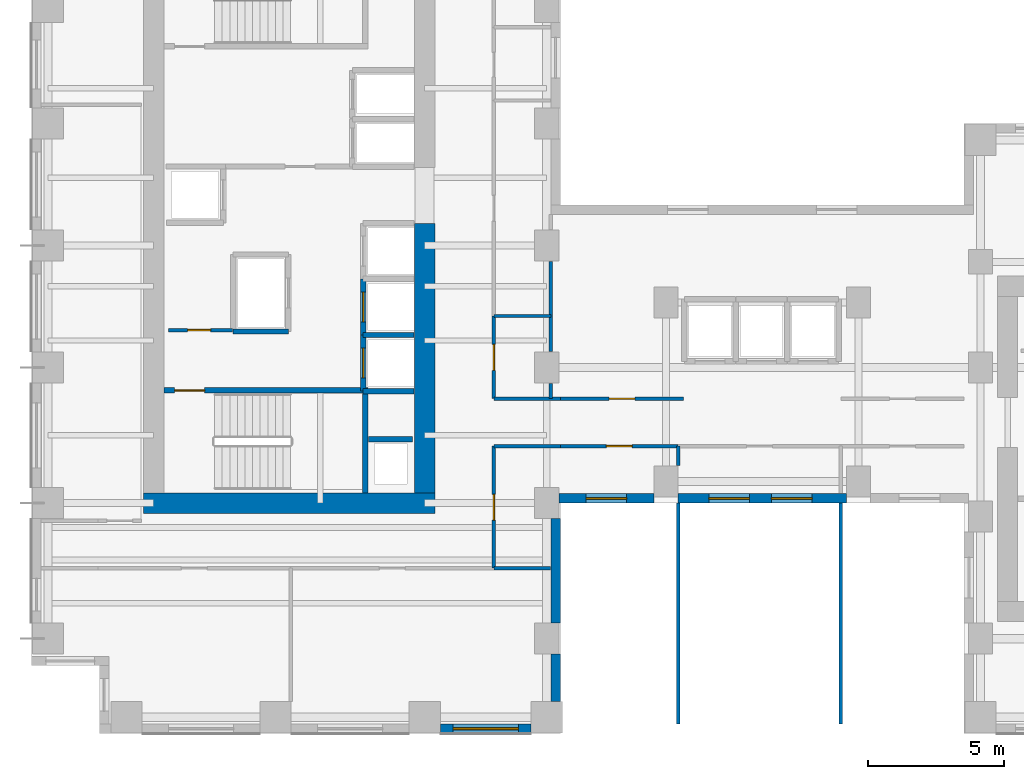
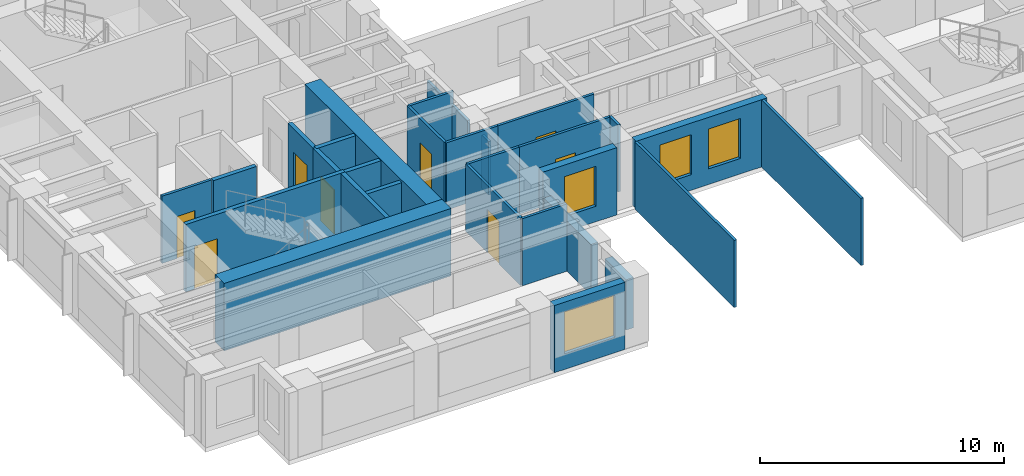
# One storey, part 4 of 11: 29 walls, 8 doors, 4 windows, 12 openings.
"""IFC4 building model written with IfcOpenShell, lengths in metres."""

from ifc_helpers import new_model, si_unit, direction, frame, frame_2d, origin, place, context, subcontext, project, spatial, rectangle, extrude, source, transform, mapped, material, layer, layer_set, type_object, element, fill, save


model = new_model("IFC4")

# Units and contexts
model_context = context("Model", 3, precision=1e-05, world=origin(), true_north=direction((0.0, 1.0)))
body_context = subcontext(model_context, "Body", "Model", "MODEL_VIEW")
ifc_project = project(units=[si_unit("LENGTHUNIT", "METRE"), si_unit("AREAUNIT", "SQUARE_METRE"), si_unit("VOLUMEUNIT", "CUBIC_METRE"), si_unit("PLANEANGLEUNIT", "RADIAN"), si_unit("MASSUNIT", "GRAM", prefix="KILO")], contexts=[model_context])

# Site, building, storey
site_placement = place(None, origin())
site = spatial("IfcSite", under=ifc_project, at=site_placement, CompositionType="ELEMENT")
building_placement = place(site_placement, origin())
building = spatial("IfcBuilding", under=site, at=building_placement, Name="Kharzan Plaza Tower", CompositionType="ELEMENT")
storey_placement = place(building_placement, frame((0.0, 0.0, 113.39990234375)))
storey = spatial("IfcBuildingStorey", under=building, at=storey_placement, Name="L30", CompositionType="ELEMENT", Elevation=113.39990234375)

# Wall, opening, window
ifc_material_1 = material(Name="Concrete C40/50", Category="concrete")
ifc_layer_1 = layer(ifc_material_1, 0.35009765625)
ifc_layer_set_1 = layer_set([ifc_layer_1], Name="Concrete C40/50")
wall_type_1 = type_object("IfcWallType", Name="WL-EXT-MAS-Z2", PredefinedType="SOLIDWALL", material=ifc_layer_set_1)
wall_1_placement = place(storey_placement, frame((15.072998046875, 0.175048828125, 0.0), z_axis=(0.0, 0.0, 1.0), x_axis=(1.0, 0.0, 0.0)))
wall_1 = element("IfcWall", 1, at=wall_1_placement, inside=storey, type_object=wall_type_1, Name="L30 Masonry-Frame Exterior Wall 31", PredefinedType="SOLIDWALL", context=body_context, shape_type="SweptSolid", body=[
    extrude(rectangle(XDim=3.35400390625, YDim=0.35009765625, at=frame_2d((1.677001953125, 0.0))), origin(), (0.0, 0.0, 1.0), 3.364990234375),
])
opening_1_placement = place(wall_1_placement, frame((0.47705078125, 0.0, 0.780029296875)))
opening_1 = element("IfcOpeningElement", 2, at=opening_1_placement, cuts=wall_1, Name="Opening W2", PredefinedType="OPENING", context=body_context, shape_type="SweptSolid", body=[
    extrude(rectangle(XDim=2.39990234375, YDim=2.10009765625, at=frame_2d((1.199951171875, 1.050048828125))), frame((0.0, 0.18505859375, 0.0), z_axis=(0.0, -1.0, 0.0), x_axis=(1.0, 0.0, 0.0)), (0.0, 0.0, 1.0), 0.3701171875),
])
ifc_material_2 = material(Name="Low-E Double Glazing", Category="glass")
window_type_1 = type_object("IfcWindowType", Name="WN-REC-2400x2100", PartitioningType="SINGLE_PANEL", PredefinedType="WINDOW", material=ifc_material_2)
shared_shape_1 = source(origin(), body_context, "Body", "SweptSolid", [
    extrude(rectangle(XDim=2.39990234375, YDim=2.10009765625, at=frame_2d((1.199951171875, 1.050048828125))), frame((0.0, 0.030029296875, 0.0), z_axis=(0.0, -1.0, 0.0), x_axis=(1.0, 0.0, 0.0)), (0.0, 0.0, 1.0), 0.06005859375),
])
window_1_placement = place(opening_1_placement, origin())
window_1 = element("IfcWindow", 3, at=window_1_placement, inside=storey, type_object=window_type_1, Name="L30 Wide Recessed Solar-Control Window 31-1", OverallHeight=2.10009765625, OverallWidth=2.39990234375, PartitioningType="SINGLE_PANEL", PredefinedType="WINDOW", context=body_context, shape_type="MappedRepresentation", body=[
    mapped(shared_shape_1, transform((0.0, 0.0, 0.0), x_axis=(1.0, 0.0, 0.0), y_axis=(0.0, 1.0, 0.0), z_axis=(0.0, 0.0, 1.0))),
])
fill(opening_1, window_1)

wall_2_placement = place(storey_placement, frame((19.447998046875, 8.675048828125, 0.0), z_axis=(0.0, 0.0, 1.0), x_axis=(1.0, 0.0, 0.0)))
wall_2 = element("IfcWall", 4, at=wall_2_placement, inside=storey, type_object=wall_type_1, Name="L30 Masonry-Frame Exterior Wall 34", PredefinedType="SOLIDWALL", context=body_context, shape_type="SweptSolid", body=[
    extrude(rectangle(XDim=3.50390625, YDim=0.35009765625, at=frame_2d((1.751953125, 0.0))), origin(), (0.0, 0.0, 1.0), 3.364990234375),
])
opening_2_placement = place(wall_2_placement, frame((1.001953125, 0.0, 0.780029296875)))
opening_2 = element("IfcOpeningElement", 5, at=opening_2_placement, cuts=wall_2, Name="Opening W5", PredefinedType="OPENING", context=body_context, shape_type="SweptSolid", body=[
    extrude(rectangle(XDim=1.5, YDim=2.0, at=frame_2d((0.75, 1.0))), frame((0.0, 0.18505859375, 0.0), z_axis=(0.0, -1.0, 0.0), x_axis=(1.0, 0.0, 0.0)), (0.0, 0.0, 1.0), 0.3701171875),
])
window_type_2 = type_object("IfcWindowType", Name="WN-SLT-1500x2000", PartitioningType="SINGLE_PANEL", PredefinedType="WINDOW", material=ifc_material_2)
shared_shape_2 = source(origin(), body_context, "Body", "SweptSolid", [
    extrude(rectangle(XDim=1.5, YDim=2.0, at=frame_2d((0.75, 1.0))), frame((0.0, 0.030029296875, 0.0), z_axis=(0.0, -1.0, 0.0), x_axis=(1.0, 0.0, 0.0)), (0.0, 0.0, 1.0), 0.06005859375),
])
window_2_placement = place(opening_2_placement, origin())
window_2 = element("IfcWindow", 6, at=window_2_placement, inside=storey, type_object=window_type_2, Name="L30 Recessed Solar-Control Window 34-1", OverallHeight=2.0, OverallWidth=1.5, PartitioningType="SINGLE_PANEL", PredefinedType="WINDOW", context=body_context, shape_type="MappedRepresentation", body=[
    mapped(shared_shape_2, transform((0.0, 0.0, 0.0), x_axis=(1.0, 0.0, 0.0), y_axis=(0.0, 1.0, 0.0), z_axis=(0.0, 0.0, 1.0))),
])
fill(opening_2, window_2)

# Wall, openings, windows
wall_3_placement = place(storey_placement, frame((23.847900390625, 8.675048828125, 0.0), z_axis=(0.0, 0.0, 1.0), x_axis=(1.0, 0.0, 0.0)))
wall_3 = element("IfcWall", 7, at=wall_3_placement, inside=storey, type_object=wall_type_1, Name="L30 Masonry-Frame Exterior Wall 35", PredefinedType="SOLIDWALL", context=body_context, shape_type="SweptSolid", body=[
    extrude(rectangle(XDim=6.2041015625, YDim=0.35009765625, at=frame_2d((3.10205078125, 0.0))), origin(), (0.0, 0.0, 1.0), 3.364990234375),
])
opening_3_placement = place(wall_3_placement, frame((1.130615234375, 0.0, 0.780029296875)))
opening_3 = element("IfcOpeningElement", 8, at=opening_3_placement, cuts=wall_3, Name="Opening W5", PredefinedType="OPENING", context=body_context, shape_type="SweptSolid", body=[
    extrude(rectangle(XDim=1.5, YDim=2.0, at=frame_2d((0.75, 1.0))), frame((0.0, 0.18505859375, 0.0), z_axis=(0.0, -1.0, 0.0), x_axis=(1.0, 0.0, 0.0)), (0.0, 0.0, 1.0), 0.3701171875),
])
opening_4_placement = place(wall_3_placement, frame((3.44140625, 0.0, 0.780029296875)))
opening_4 = element("IfcOpeningElement", 9, at=opening_4_placement, cuts=wall_3, Name="Opening W5", PredefinedType="OPENING", context=body_context, shape_type="SweptSolid", body=[
    extrude(rectangle(XDim=1.5, YDim=2.0, at=frame_2d((0.75, 1.0))), frame((0.0, 0.18505859375, 0.0), z_axis=(0.0, -1.0, 0.0), x_axis=(1.0, 0.0, 0.0)), (0.0, 0.0, 1.0), 0.3701171875),
])
window_3_placement = place(opening_3_placement, origin())
window_3 = element("IfcWindow", 10, at=window_3_placement, inside=storey, type_object=window_type_2, Name="L30 Recessed Solar-Control Window 35-1", OverallHeight=2.0, OverallWidth=1.5, PartitioningType="SINGLE_PANEL", PredefinedType="WINDOW", context=body_context, shape_type="MappedRepresentation", body=[
    mapped(shared_shape_2, transform((0.0, 0.0, 0.0), x_axis=(1.0, 0.0, 0.0), y_axis=(0.0, 1.0, 0.0), z_axis=(0.0, 0.0, 1.0))),
])
fill(opening_3, window_3)
window_4_placement = place(opening_4_placement, origin())
window_4 = element("IfcWindow", 11, at=window_4_placement, inside=storey, type_object=window_type_2, Name="L30 Recessed Solar-Control Window 35-2", OverallHeight=2.0, OverallWidth=1.5, PartitioningType="SINGLE_PANEL", PredefinedType="WINDOW", context=body_context, shape_type="MappedRepresentation", body=[
    mapped(shared_shape_2, transform((0.0, 0.0, 0.0), x_axis=(1.0, 0.0, 0.0), y_axis=(0.0, 1.0, 0.0), z_axis=(0.0, 0.0, 1.0))),
])
fill(opening_4, window_4)

# Wall, opening, door
ifc_material_3 = material(Name="Fire-Rated Gypsum Board Partition", Category="gypsum")
ifc_layer_2 = layer(ifc_material_3, 0.125)
ifc_layer_set_2 = layer_set([ifc_layer_2], Name="Fire-Rated Gypsum Board Partition")
wall_type_2 = type_object("IfcWallType", Name="WL-INT-PART-125", PredefinedType="PARTITIONING", material=ifc_layer_set_2)
wall_4_placement = place(storey_placement, frame((5.050048828125, 14.8798828125, 0.0), z_axis=(0.0, 0.0, 1.0), x_axis=(1.0, 0.0, 0.0)))
wall_4 = element("IfcWall", 12, at=wall_4_placement, inside=storey, type_object=wall_type_2, Name="L30 Interior Partition CA-K0", PredefinedType="PARTITIONING", context=body_context, shape_type="SweptSolid", body=[
    extrude(rectangle(XDim=2.349853515625, YDim=0.125, at=frame_2d((1.1748046875, 0.0))), origin(), (0.0, 0.0, 1.0), 3.364990234375),
])
opening_5_placement = place(wall_4_placement, frame((0.699951171875, 0.0, 0.0)))
opening_5 = element("IfcOpeningElement", 13, at=opening_5_placement, cuts=wall_4, Name="Opening RD1", PredefinedType="OPENING", context=body_context, shape_type="SweptSolid", body=[
    extrude(rectangle(XDim=0.85009765625, YDim=2.10009765625, at=frame_2d((0.425048828125, 1.050048828125))), frame((0.0, 0.072509765625, 0.0), z_axis=(0.0, -1.0, 0.0), x_axis=(1.0, 0.0, 0.0)), (0.0, 0.0, 1.0), 0.14501953125),
])
ifc_material_4 = material(Name="Powder-Coated Fire-Rated Steel", Category="steel")
door_type_1 = type_object("IfcDoorType", Name="DR-RISER-900", OperationType="NOTDEFINED", PredefinedType="DOOR", material=ifc_material_4)
shared_shape_3 = source(origin(), body_context, "Body", "SweptSolid", [
    extrude(rectangle(XDim=0.85009765625, YDim=2.10009765625, at=frame_2d((0.425048828125, 1.050048828125))), frame((0.0, 0.02490234375, 0.0), z_axis=(0.0, -1.0, 0.0), x_axis=(1.0, 0.0, 0.0)), (0.0, 0.0, 1.0), 0.050048828125),
])
door_1_placement = place(opening_5_placement, origin())
door_1 = element("IfcDoor", 14, at=door_1_placement, inside=storey, type_object=door_type_1, Name="L30 Cleaners Store Door", OperationType="SINGLE_SWING_RIGHT", OverallHeight=2.10009765625, OverallWidth=0.85009765625, PredefinedType="DOOR", context=body_context, shape_type="MappedRepresentation", body=[
    mapped(shared_shape_3, transform((0.0, 0.0, 0.0), x_axis=(1.0, 0.0, 0.0), y_axis=(0.0, 1.0, 0.0), z_axis=(0.0, 0.0, 1.0))),
])
fill(opening_5, door_1)

wall_5_placement = place(storey_placement, frame((17.050048828125, 12.35009765625, 0.0), z_axis=(0.0, 0.0, 1.0), x_axis=(0.0, 1.0, 0.0)))
wall_5 = element("IfcWall", 15, at=wall_5_placement, inside=storey, type_object=wall_type_2, Name="L30 Interior Partition SH-AEWN1", PredefinedType="PARTITIONING", context=body_context, shape_type="SweptSolid", body=[
    extrude(rectangle(XDim=3.0498046875, YDim=0.125, at=frame_2d((1.52490234375, 0.0))), origin(), (0.0, 0.0, 1.0), 3.364990234375),
])
opening_6_placement = place(wall_5_placement, frame((1.050048828125, 0.0, 0.0)))
opening_6 = element("IfcOpeningElement", 16, at=opening_6_placement, cuts=wall_5, Name="Opening OD1", PredefinedType="OPENING", context=body_context, shape_type="SweptSolid", body=[
    extrude(rectangle(XDim=0.949951171875, YDim=2.14990234375, at=frame_2d((0.47509765625, 1.074951171875))), frame((0.0, 0.072509765625, 0.0), z_axis=(0.0, -1.0, 0.0), x_axis=(1.0, 0.0, 0.0)), (0.0, 0.0, 1.0), 0.14501953125),
])
ifc_material_5 = material(Name="Acoustic Solid-Core Stained Oak", Category="timber")
door_type_2 = type_object("IfcDoorType", Name="DR-OFF-SINGLE", OperationType="NOTDEFINED", PredefinedType="DOOR", material=ifc_material_5)
shared_shape_4 = source(origin(), body_context, "Body", "SweptSolid", [
    extrude(rectangle(XDim=0.949951171875, YDim=2.14990234375, at=frame_2d((0.47509765625, 1.074951171875))), frame((0.0, 0.02490234375, 0.0), z_axis=(0.0, -1.0, 0.0), x_axis=(1.0, 0.0, 0.0)), (0.0, 0.0, 1.0), 0.050048828125),
])
door_2_placement = place(opening_6_placement, origin())
door_2 = element("IfcDoor", 17, at=door_2_placement, inside=storey, type_object=door_type_2, Name="L30 Slot Collaboration Door", OperationType="SINGLE_SWING_LEFT", OverallHeight=2.14990234375, OverallWidth=0.949951171875, PredefinedType="DOOR", context=body_context, shape_type="MappedRepresentation", body=[
    mapped(shared_shape_4, transform((0.0, 0.0, 0.0), x_axis=(1.0, 0.0, 0.0), y_axis=(0.0, 1.0, 0.0), z_axis=(0.0, 0.0, 1.0))),
])
fill(opening_6, door_2)

wall_6_placement = place(storey_placement, frame((17.050048828125, 6.10009765625, 0.0), z_axis=(0.0, 0.0, 1.0), x_axis=(0.0, 1.0, 0.0)))
wall_6 = element("IfcWall", 18, at=wall_6_placement, inside=storey, type_object=wall_type_2, Name="L30 Interior Partition SH-AEWS", PredefinedType="PARTITIONING", context=body_context, shape_type="SweptSolid", body=[
    extrude(rectangle(XDim=4.5, YDim=0.125, at=frame_2d((2.25, 0.0))), origin(), (0.0, 0.0, 1.0), 3.364990234375),
])
opening_7_placement = place(wall_6_placement, frame((1.77490234375, 0.0, 0.0)))
opening_7 = element("IfcOpeningElement", 19, at=opening_7_placement, cuts=wall_6, Name="Opening OD1", PredefinedType="OPENING", context=body_context, shape_type="SweptSolid", body=[
    extrude(rectangle(XDim=0.949951171875, YDim=2.14990234375, at=frame_2d((0.47509765625, 1.074951171875))), frame((0.0, 0.072509765625, 0.0), z_axis=(0.0, -1.0, 0.0), x_axis=(1.0, 0.0, 0.0)), (0.0, 0.0, 1.0), 0.14501953125),
])
door_3_placement = place(opening_7_placement, origin())
door_3 = element("IfcDoor", 20, at=door_3_placement, inside=storey, type_object=door_type_2, Name="L30 Slot South Office Door", OperationType="SINGLE_SWING_RIGHT", OverallHeight=2.14990234375, OverallWidth=0.949951171875, PredefinedType="DOOR", context=body_context, shape_type="MappedRepresentation", body=[
    mapped(shared_shape_4, transform((0.0, 0.0, 0.0), x_axis=(1.0, 0.0, 0.0), y_axis=(0.0, 1.0, 0.0), z_axis=(0.0, 0.0, 1.0))),
])
fill(opening_7, door_3)

wall_7_placement = place(storey_placement, frame((19.5, 12.35009765625, 0.0), z_axis=(0.0, 0.0, 1.0), x_axis=(1.0, 0.0, 0.0)))
wall_7 = element("IfcWall", 21, at=wall_7_placement, inside=storey, type_object=wall_type_2, Name="L30 Interior Partition SH-SPNW1", PredefinedType="PARTITIONING", context=body_context, shape_type="SweptSolid", body=[
    extrude(rectangle(XDim=4.550048828125, YDim=0.125, at=frame_2d((2.27490234375, 0.0))), origin(), (0.0, 0.0, 1.0), 3.364990234375),
])
opening_8_placement = place(wall_7_placement, frame((1.800048828125, 0.0, 0.0)))
opening_8 = element("IfcOpeningElement", 22, at=opening_8_placement, cuts=wall_7, Name="Opening OD1", PredefinedType="OPENING", context=body_context, shape_type="SweptSolid", body=[
    extrude(rectangle(XDim=0.949951171875, YDim=2.14990234375, at=frame_2d((0.47509765625, 1.074951171875))), frame((0.0, 0.072509765625, 0.0), z_axis=(0.0, -1.0, 0.0), x_axis=(1.0, 0.0, 0.0)), (0.0, 0.0, 1.0), 0.14501953125),
])
door_4_placement = place(opening_8_placement, origin())
door_4 = element("IfcDoor", 23, at=door_4_placement, inside=storey, type_object=door_type_2, Name="L30 North-West Spine Door", OperationType="SINGLE_SWING_RIGHT", OverallHeight=2.14990234375, OverallWidth=0.949951171875, PredefinedType="DOOR", context=body_context, shape_type="MappedRepresentation", body=[
    mapped(shared_shape_4, transform((0.0, 0.0, 0.0), x_axis=(1.0, 0.0, 0.0), y_axis=(0.0, 1.0, 0.0), z_axis=(0.0, 0.0, 1.0))),
])
fill(opening_8, door_4)

wall_8_placement = place(storey_placement, frame((19.5, 10.60009765625, 0.0), z_axis=(0.0, 0.0, 1.0), x_axis=(1.0, 0.0, 0.0)))
wall_8 = element("IfcWall", 24, at=wall_8_placement, inside=storey, type_object=wall_type_2, Name="L30 Interior Partition SH-SPS1", PredefinedType="PARTITIONING", context=body_context, shape_type="SweptSolid", body=[
    extrude(rectangle(XDim=4.35009765625, YDim=0.125, at=frame_2d((2.175048828125, 0.0))), origin(), (0.0, 0.0, 1.0), 3.364990234375),
])
opening_9_placement = place(wall_8_placement, frame((1.699951171875, 0.0, 0.0)))
opening_9 = element("IfcOpeningElement", 25, at=opening_9_placement, cuts=wall_8, Name="Opening OD1", PredefinedType="OPENING", context=body_context, shape_type="SweptSolid", body=[
    extrude(rectangle(XDim=0.949951171875, YDim=2.14990234375, at=frame_2d((0.47509765625, 1.074951171875))), frame((0.0, 0.072509765625, 0.0), z_axis=(0.0, -1.0, 0.0), x_axis=(1.0, 0.0, 0.0)), (0.0, 0.0, 1.0), 0.14501953125),
])
door_5_placement = place(opening_9_placement, origin())
door_5 = element("IfcDoor", 26, at=door_5_placement, inside=storey, type_object=door_type_2, Name="L30 Spine Studio 1 Door", OperationType="SINGLE_SWING_LEFT", OverallHeight=2.14990234375, OverallWidth=0.949951171875, PredefinedType="DOOR", context=body_context, shape_type="MappedRepresentation", body=[
    mapped(shared_shape_4, transform((0.0, 0.0, 0.0), x_axis=(1.0, 0.0, 0.0), y_axis=(0.0, 1.0, 0.0), z_axis=(0.0, 0.0, 1.0))),
])
fill(opening_9, door_5)

ifc_layer_3 = layer(ifc_material_1, 0.199951171875)
ifc_layer_set_3 = layer_set([ifc_layer_3], Name="Concrete C40/50")
wall_type_3 = type_object("IfcWallType", Name="WL-INT-SHAFT-200", PredefinedType="PARTITIONING", material=ifc_layer_set_3)
wall_9_placement = place(storey_placement, frame((12.22998046875, 12.6298828125, 0.0), z_axis=(0.0, 0.0, 1.0), x_axis=(0.0, 1.0, 0.0)))
wall_9 = element("IfcWall", 27, at=wall_9_placement, inside=storey, type_object=wall_type_3, Name="L30 Interior Partition SHF-PL-H1-W", PredefinedType="PARTITIONING", context=body_context, shape_type="SweptSolid", body=[
    extrude(rectangle(XDim=2.070068359375, YDim=0.199951171875, at=frame_2d((1.03515625, 0.0))), origin(), (0.0, 0.0, 1.0), 3.364990234375),
])
opening_10_placement = place(wall_9_placement, frame((0.485107421875, 0.0, 0.0)))
opening_10 = element("IfcOpeningElement", 28, at=opening_10_placement, cuts=wall_9, Name="Opening LD", PredefinedType="OPENING", context=body_context, shape_type="SweptSolid", body=[
    extrude(rectangle(XDim=1.10009765625, YDim=2.199951171875, at=frame_2d((0.550048828125, 1.10009765625))), frame((0.0, 0.10986328125, 0.0), z_axis=(0.0, -1.0, 0.0), x_axis=(1.0, 0.0, 0.0)), (0.0, 0.0, 1.0), 0.219970703125),
])
ifc_material_6 = material(Name="Brushed Stainless Steel", Category="steel")
door_type_3 = type_object("IfcDoorType", Name="DR-LIFT-SLIDE", OperationType="SLIDING_TO_LEFT", PredefinedType="DOOR", material=ifc_material_6)
shared_shape_5 = source(origin(), body_context, "Body", "SweptSolid", [
    extrude(rectangle(XDim=1.10009765625, YDim=2.199951171875, at=frame_2d((0.550048828125, 1.10009765625))), frame((0.0, 0.02490234375, 0.0), z_axis=(0.0, -1.0, 0.0), x_axis=(1.0, 0.0, 0.0)), (0.0, 0.0, 1.0), 0.050048828125),
])
door_6_placement = place(opening_10_placement, origin())
door_6 = element("IfcDoor", 29, at=door_6_placement, inside=storey, type_object=door_type_3, Name="L30 High-Rise Passenger Lift PL-H1 Sliding Landing Door", OperationType="SLIDING_TO_LEFT", OverallHeight=2.199951171875, OverallWidth=1.10009765625, PredefinedType="DOOR", context=body_context, shape_type="MappedRepresentation", body=[
    mapped(shared_shape_5, transform((0.0, 0.0, 0.0), x_axis=(1.0, 0.0, 0.0), y_axis=(0.0, 1.0, 0.0), z_axis=(0.0, 0.0, 1.0))),
])
fill(opening_10, door_6)

wall_10_placement = place(storey_placement, frame((12.22998046875, 14.699951171875, 0.0), z_axis=(0.0, 0.0, 1.0), x_axis=(0.0, 1.0, 0.0)))
wall_10 = element("IfcWall", 30, at=wall_10_placement, inside=storey, type_object=wall_type_3, Name="L30 Interior Partition SHF-PL-H2-W", PredefinedType="PARTITIONING", context=body_context, shape_type="SweptSolid", body=[
    extrude(rectangle(XDim=2.070068359375, YDim=0.199951171875, at=frame_2d((1.03515625, 0.0))), origin(), (0.0, 0.0, 1.0), 3.364990234375),
])
opening_11_placement = place(wall_10_placement, frame((0.485107421875, 0.0, 0.0)))
opening_11 = element("IfcOpeningElement", 31, at=opening_11_placement, cuts=wall_10, Name="Opening LD", PredefinedType="OPENING", context=body_context, shape_type="SweptSolid", body=[
    extrude(rectangle(XDim=1.10009765625, YDim=2.199951171875, at=frame_2d((0.550048828125, 1.10009765625))), frame((0.0, 0.10986328125, 0.0), z_axis=(0.0, -1.0, 0.0), x_axis=(1.0, 0.0, 0.0)), (0.0, 0.0, 1.0), 0.219970703125),
])
door_7_placement = place(opening_11_placement, origin())
door_7 = element("IfcDoor", 32, at=door_7_placement, inside=storey, type_object=door_type_3, Name="L30 High-Rise Passenger Lift PL-H2 Sliding Landing Door", OperationType="SLIDING_TO_LEFT", OverallHeight=2.199951171875, OverallWidth=1.10009765625, PredefinedType="DOOR", context=body_context, shape_type="MappedRepresentation", body=[
    mapped(shared_shape_5, transform((0.0, 0.0, 0.0), x_axis=(1.0, 0.0, 0.0), y_axis=(0.0, 1.0, 0.0), z_axis=(0.0, 0.0, 1.0))),
])
fill(opening_11, door_7)

ifc_material_7 = material(Name="Concrete C50/60", Category="concrete")
ifc_layer_4 = layer(ifc_material_7, 0.199951171875)
ifc_layer_set_4 = layer_set([ifc_layer_4], Name="Concrete C50/60")
wall_type_4 = type_object("IfcWallType", Name="WL-SHAFT-RC200", PredefinedType="SHEAR", material=ifc_layer_set_4)
wall_11_placement = place(storey_placement, frame((4.876953125, 12.655029296875, 0.0), z_axis=(0.0, 0.0, 1.0), x_axis=(1.0, 0.0, 0.0)))
wall_11 = element("IfcWall", 33, at=wall_11_placement, inside=storey, type_object=wall_type_4, Name="L30 Stair ST-1 North RC Shaft Wall", PredefinedType="SHEAR", context=body_context, shape_type="SweptSolid", body=[
    extrude(rectangle(XDim=7.528076171875, YDim=0.199951171875, at=frame_2d((3.76416015625, 0.0))), origin(), (0.0, 0.0, 1.0), 3.380126953125),
])
opening_12_placement = place(wall_11_placement, frame((0.39990234375, 0.0, 0.0)))
opening_12 = element("IfcOpeningElement", 34, at=opening_12_placement, cuts=wall_11, Name="Opening SD1", PredefinedType="OPENING", context=body_context, shape_type="SweptSolid", body=[
    extrude(rectangle(XDim=1.10009765625, YDim=2.14990234375, at=frame_2d((0.550048828125, 1.074951171875))), frame((0.0, 0.10986328125, 0.0), z_axis=(0.0, -1.0, 0.0), x_axis=(1.0, 0.0, 0.0)), (0.0, 0.0, 1.0), 0.219970703125),
])
ifc_material_8 = material(Name="Fire-Rated Hollow Galvanized Steel", Category="steel")
door_type_4 = type_object("IfcDoorType", Name="DR-STAIR-FD120", OperationType="NOTDEFINED", PredefinedType="DOOR", material=ifc_material_8)
shared_shape_6 = source(origin(), body_context, "Body", "SweptSolid", [
    extrude(rectangle(XDim=1.10009765625, YDim=2.14990234375, at=frame_2d((0.550048828125, 1.074951171875))), frame((0.0, 0.02490234375, 0.0), z_axis=(0.0, -1.0, 0.0), x_axis=(1.0, 0.0, 0.0)), (0.0, 0.0, 1.0), 0.050048828125),
])
door_8_placement = place(opening_12_placement, origin())
door_8 = element("IfcDoor", 35, at=door_8_placement, inside=storey, type_object=door_type_4, Name="L30 Stair ST-1 Fire Exit Door", OperationType="SINGLE_SWING_LEFT", OverallHeight=2.14990234375, OverallWidth=1.10009765625, PredefinedType="DOOR", context=body_context, shape_type="MappedRepresentation", body=[
    mapped(shared_shape_6, transform((0.0, 0.0, 0.0), x_axis=(1.0, 0.0, 0.0), y_axis=(0.0, 1.0, 0.0), z_axis=(0.0, 0.0, 1.0))),
])
fill(opening_12, door_8)

# Walls
shared_shape_7 = source(origin(), body_context, "Body", "SweptSolid", [
    extrude(rectangle(XDim=2.0400390625, YDim=0.199951171875, at=frame_2d((1.02001953125, 0.0))), origin(), (0.0, 0.0, 1.0), 3.364990234375),
])
wall_12_placement = place(storey_placement, frame((7.429931640625, 14.830078125, 0.0), z_axis=(0.0, 0.0, 1.0), x_axis=(1.0, 0.0, 0.0)))
element("IfcWall", 36, at=wall_12_placement, inside=storey, type_object=wall_type_3, Name="L30 Interior Partition SHF-SVL-1-S", PredefinedType="PARTITIONING", context=body_context, shape_type="MappedRepresentation", body=[
    mapped(shared_shape_7, transform((0.0, 0.0, 0.0), x_axis=(1.0, 0.0, 0.0), y_axis=(0.0, 1.0, 0.0), z_axis=(0.0, 0.0, 1.0))),
])
shared_shape_8 = source(origin(), body_context, "Body", "SweptSolid", [
    extrude(rectangle(XDim=2.097900390625, YDim=0.125, at=frame_2d((1.048828125, 0.0))), origin(), (0.0, 0.0, 1.0), 3.364990234375),
])
wall_13_placement = place(storey_placement, frame((17.050048828125, 6.10009765625, 0.0), z_axis=(0.0, 0.0, 1.0), x_axis=(1.0, 0.0, 0.0)))
element("IfcWall", 37, at=wall_13_placement, inside=storey, type_object=wall_type_2, Name="L30 Interior Partition SH-SSE-2", PredefinedType="PARTITIONING", context=body_context, shape_type="MappedRepresentation", body=[
    mapped(shared_shape_8, transform((0.0, 0.0, 0.0), x_axis=(1.0, 0.0, 0.0), y_axis=(0.0, 1.0, 0.0), z_axis=(0.0, 0.0, 1.0))),
])
shared_shape_9 = source(origin(), body_context, "Body", "SweptSolid", [
    extrude(rectangle(XDim=2.449951171875, YDim=0.125, at=frame_2d((1.22509765625, 0.0))), origin(), (0.0, 0.0, 1.0), 3.364990234375),
])
for number, where, z_axis, x_axis, name in (
    (38, (17.050048828125, 12.35009765625, 0.0), (0.0, 0.0, 1.0), (1.0, 0.0, 0.0), "L30 Interior Partition SH-SPNW0"),
    (39, (17.050048828125, 10.60009765625, 0.0), (0.0, 0.0, 1.0), (1.0, 0.0, 0.0), "L30 Interior Partition SH-SPS0"),
):
    element("IfcWall", number, at=place(storey_placement, frame(where, z_axis=z_axis, x_axis=x_axis)), inside=storey, type_object=wall_type_2, Name=name, PredefinedType="PARTITIONING", context=body_context, shape_type="MappedRepresentation", body=[
        mapped(shared_shape_9, transform((0.0, 0.0, 0.0), x_axis=(1.0, 0.0, 0.0), y_axis=(0.0, 1.0, 0.0), z_axis=(0.0, 0.0, 1.0))),
    ])
shared_shape_10 = source(origin(), body_context, "Body", "SweptSolid", [
    extrude(rectangle(XDim=8.14794921875, YDim=0.125, at=frame_2d((4.073974609375, 0.0))), origin(), (0.0, 0.0, 1.0), 3.364990234375),
])
for number, where, z_axis, x_axis, name in (
    (40, (23.85009765625, 0.35009765625, 0.0), (0.0, 0.0, 1.0), (0.0, 1.0, 0.0), "L30 Interior Partition SH-SPSV1-S1"),
    (41, (29.85009765625, 0.35009765625, 0.0), (0.0, 0.0, 1.0), (0.0, 1.0, 0.0), "L30 Interior Partition SH-SPSV2-S1"),
):
    element("IfcWall", number, at=place(storey_placement, frame(where, z_axis=z_axis, x_axis=x_axis)), inside=storey, type_object=wall_type_2, Name=name, PredefinedType="PARTITIONING", context=body_context, shape_type="MappedRepresentation", body=[
        mapped(shared_shape_10, transform((0.0, 0.0, 0.0), x_axis=(1.0, 0.0, 0.0), y_axis=(0.0, 1.0, 0.0), z_axis=(0.0, 0.0, 1.0))),
    ])
shared_shape_11 = source(origin(), body_context, "Body", "SweptSolid", [
    extrude(rectangle(XDim=2.099853515625, YDim=0.125, at=frame_2d((1.0498046875, 0.0))), origin(), (0.0, 0.0, 1.0), 3.364990234375),
])
wall_14_placement = place(storey_placement, frame((17.050048828125, 15.39990234375, 0.0), z_axis=(0.0, 0.0, 1.0), x_axis=(1.0, 0.0, 0.0)))
element("IfcWall", 42, at=wall_14_placement, inside=storey, type_object=wall_type_2, Name="L30 Interior Partition SH-AEH-154", PredefinedType="PARTITIONING", context=body_context, shape_type="MappedRepresentation", body=[
    mapped(shared_shape_11, transform((0.0, 0.0, 0.0), x_axis=(1.0, 0.0, 0.0), y_axis=(0.0, 1.0, 0.0), z_axis=(0.0, 0.0, 1.0))),
])
ifc_material_9 = material(Name="Concrete C60/75", Category="concrete")
ifc_layer_5 = layer(ifc_material_9, 0.75)
ifc_layer_set_5 = layer_set([ifc_layer_5], Name="Concrete C60/75")
wall_type_5 = type_object("IfcWallType", Name="WL-CORE-750", PredefinedType="SHEAR", material=ifc_layer_set_5)
shared_shape_12 = source(origin(), body_context, "Body", "SweptSolid", [
    extrude(rectangle(XDim=9.945068359375, YDim=0.75, at=frame_2d((4.97265625, 0.0))), origin(), (0.0, 0.0, 1.0), 3.380126953125),
])
wall_15_placement = place(storey_placement, frame((14.5, 8.875, 0.0), z_axis=(0.0, 0.0, 1.0), x_axis=(0.0, 1.0, 0.0)))
element("IfcWall", 43, at=wall_15_placement, inside=storey, type_object=wall_type_5, Name="L30 CORE-A east shear pier 1", PredefinedType="SHEAR", context=body_context, shape_type="MappedRepresentation", body=[
    mapped(shared_shape_12, transform((0.0, 0.0, 0.0), x_axis=(1.0, 0.0, 0.0), y_axis=(0.0, 1.0, 0.0), z_axis=(0.0, 0.0, 1.0))),
])
shared_shape_13 = source(origin(), body_context, "Body", "SweptSolid", [
    extrude(rectangle(XDim=10.75, YDim=0.75, at=frame_2d((5.375, 0.0))), origin(), (0.0, 0.0, 1.0), 3.380126953125),
])
wall_16_placement = place(storey_placement, frame((4.125, 8.5, 0.0), z_axis=(0.0, 0.0, 1.0), x_axis=(1.0, 0.0, 0.0)))
element("IfcWall", 44, at=wall_16_placement, inside=storey, type_object=wall_type_5, Name="L30 CORE-A south RC shear wall", PredefinedType="SHEAR", context=body_context, shape_type="MappedRepresentation", body=[
    mapped(shared_shape_13, transform((0.0, 0.0, 0.0), x_axis=(1.0, 0.0, 0.0), y_axis=(0.0, 1.0, 0.0), z_axis=(0.0, 0.0, 1.0))),
])
shared_shape_14 = source(origin(), body_context, "Body", "SweptSolid", [
    extrude(rectangle(XDim=1.75390625, YDim=0.35009765625, at=frame_2d((0.876953125, 0.0))), origin(), (0.0, 0.0, 1.0), 2.51904296875),
])
wall_17_placement = place(storey_placement, frame((19.324951171875, 1.173095703125, 0.0), z_axis=(0.0, 0.0, 1.0), x_axis=(0.0, 1.0, 0.0)))
element("IfcWall", 45, at=wall_17_placement, inside=storey, type_object=wall_type_1, Name="L30 Masonry-Frame Exterior Wall 32", PredefinedType="SOLIDWALL", context=body_context, shape_type="MappedRepresentation", body=[
    mapped(shared_shape_14, transform((0.0, 0.0, 0.0), x_axis=(1.0, 0.0, 0.0), y_axis=(0.0, 1.0, 0.0), z_axis=(0.0, 0.0, 1.0))),
])
shared_shape_15 = source(origin(), body_context, "Body", "SweptSolid", [
    extrude(rectangle(XDim=0.559814453125, YDim=0.125, at=frame_2d((0.27978515625, 0.0))), origin(), (0.0, 0.0, 1.0), 2.677001953125),
])
wall_18_placement = place(storey_placement, frame((19.14990234375, 12.35009765625, 0.0), z_axis=(0.0, 0.0, 1.0), x_axis=(0.0, 1.0, 0.0)))
element("IfcWall", 46, at=wall_18_placement, inside=storey, type_object=wall_type_2, Name="L30 Interior Partition SH-AEN-DIV-S1", PredefinedType="PARTITIONING", context=body_context, shape_type="MappedRepresentation", body=[
    mapped(shared_shape_15, transform((0.0, 0.0, 0.0), x_axis=(1.0, 0.0, 0.0), y_axis=(0.0, 1.0, 0.0), z_axis=(0.0, 0.0, 1.0))),
])
shared_shape_16 = source(origin(), body_context, "Body", "SweptSolid", [
    extrude(rectangle(XDim=3.31982421875, YDim=0.125, at=frame_2d((1.659912109375, 0.0))), origin(), (0.0, 0.0, 1.0), 2.677001953125),
])
wall_19_placement = place(storey_placement, frame((19.14990234375, 14.090087890625, 0.0), z_axis=(0.0, 0.0, 1.0), x_axis=(0.0, 1.0, 0.0)))
element("IfcWall", 47, at=wall_19_placement, inside=storey, type_object=wall_type_2, Name="L30 Interior Partition SH-AEN-DIV-S2", PredefinedType="PARTITIONING", context=body_context, shape_type="MappedRepresentation", body=[
    mapped(shared_shape_16, transform((0.0, 0.0, 0.0), x_axis=(1.0, 0.0, 0.0), y_axis=(0.0, 1.0, 0.0), z_axis=(0.0, 0.0, 1.0))),
])
shared_shape_17 = source(origin(), body_context, "Body", "SweptSolid", [
    extrude(rectangle(XDim=1.630126953125, YDim=0.199951171875, at=frame_2d((0.81494140625, 0.0))), origin(), (0.0, 0.0, 1.0), 3.364990234375),
])
wall_20_placement = place(storey_placement, frame((12.419921875, 10.85009765625, 0.0), z_axis=(0.0, 0.0, 1.0), x_axis=(1.0, 0.0, 0.0)))
element("IfcWall", 48, at=wall_20_placement, inside=storey, type_object=wall_type_3, Name="L30 Interior Partition CA-RSRA-N", PredefinedType="PARTITIONING", context=body_context, shape_type="MappedRepresentation", body=[
    mapped(shared_shape_17, transform((0.0, 0.0, 0.0), x_axis=(1.0, 0.0, 0.0), y_axis=(0.0, 1.0, 0.0), z_axis=(0.0, 0.0, 1.0))),
])
shared_shape_18 = source(origin(), body_context, "Body", "SweptSolid", [
    extrude(rectangle(XDim=1.864990234375, YDim=0.199951171875, at=frame_2d((0.9326171875, 0.0))), origin(), (0.0, 0.0, 1.0), 3.364990234375),
])
for number, where, z_axis, x_axis, name in (
    (49, (12.22998046875, 14.699951171875, 0.0), (0.0, 0.0, 1.0), (1.0, 0.0, 0.0), "L30 Interior Partition SHF-PL-H1-N"),
    (50, (12.22998046875, 12.6298828125, 0.0), (0.0, 0.0, 1.0), (1.0, 0.0, 0.0), "L30 Interior Partition SHF-PL-H1-S"),
):
    element("IfcWall", number, at=place(storey_placement, frame(where, z_axis=z_axis, x_axis=x_axis)), inside=storey, type_object=wall_type_3, Name=name, PredefinedType="PARTITIONING", context=body_context, shape_type="MappedRepresentation", body=[
        mapped(shared_shape_18, transform((0.0, 0.0, 0.0), x_axis=(1.0, 0.0, 0.0), y_axis=(0.0, 1.0, 0.0), z_axis=(0.0, 0.0, 1.0))),
    ])
shared_shape_19 = source(origin(), body_context, "Body", "SweptSolid", [
    extrude(rectangle(XDim=3.677978515625, YDim=0.199951171875, at=frame_2d((1.8388671875, 0.0))), origin(), (0.0, 0.0, 1.0), 3.380126953125),
])
wall_21_placement = place(storey_placement, frame((12.304931640625, 8.876953125, 0.0), z_axis=(0.0, 0.0, 1.0), x_axis=(0.0, 1.0, 0.0)))
element("IfcWall", 51, at=wall_21_placement, inside=storey, type_object=wall_type_4, Name="L30 Stair ST-1 East RC Shaft Wall", PredefinedType="SHEAR", context=body_context, shape_type="MappedRepresentation", body=[
    mapped(shared_shape_19, transform((0.0, 0.0, 0.0), x_axis=(1.0, 0.0, 0.0), y_axis=(0.0, 1.0, 0.0), z_axis=(0.0, 0.0, 1.0))),
])
shared_shape_20 = source(origin(), body_context, "Body", "SweptSolid", [
    extrude(rectangle(XDim=0.710205078125, YDim=0.125, at=frame_2d((0.35498046875, 0.0))), origin(), (0.0, 0.0, 1.0), 3.364990234375),
])
wall_22_placement = place(storey_placement, frame((23.85009765625, 9.889892578125, 0.0), z_axis=(0.0, 0.0, 1.0), x_axis=(0.0, 1.0, 0.0)))
element("IfcWall", 52, at=wall_22_placement, inside=storey, type_object=wall_type_2, Name="L30 Interior Partition SH-SPSV1-S2", PredefinedType="PARTITIONING", context=body_context, shape_type="MappedRepresentation", body=[
    mapped(shared_shape_20, transform((0.0, 0.0, 0.0), x_axis=(1.0, 0.0, 0.0), y_axis=(0.0, 1.0, 0.0), z_axis=(0.0, 0.0, 1.0))),
])
shared_shape_21 = source(origin(), body_context, "Body", "SweptSolid", [
    extrude(rectangle(XDim=3.85400390625, YDim=0.35009765625, at=frame_2d((1.927001953125, 0.0))), origin(), (0.0, 0.0, 1.0), 2.51904296875),
])
wall_23_placement = place(storey_placement, frame((19.324951171875, 4.072998046875, 0.0), z_axis=(0.0, 0.0, 1.0), x_axis=(0.0, 1.0, 0.0)))
element("IfcWall", 53, at=wall_23_placement, inside=storey, type_object=wall_type_1, Name="L30 Masonry-Frame Exterior Wall 33", PredefinedType="SOLIDWALL", context=body_context, shape_type="MappedRepresentation", body=[
    mapped(shared_shape_21, transform((0.0, 0.0, 0.0), x_axis=(1.0, 0.0, 0.0), y_axis=(0.0, 1.0, 0.0), z_axis=(0.0, 0.0, 1.0))),
])

save(model, "model.ifc")
